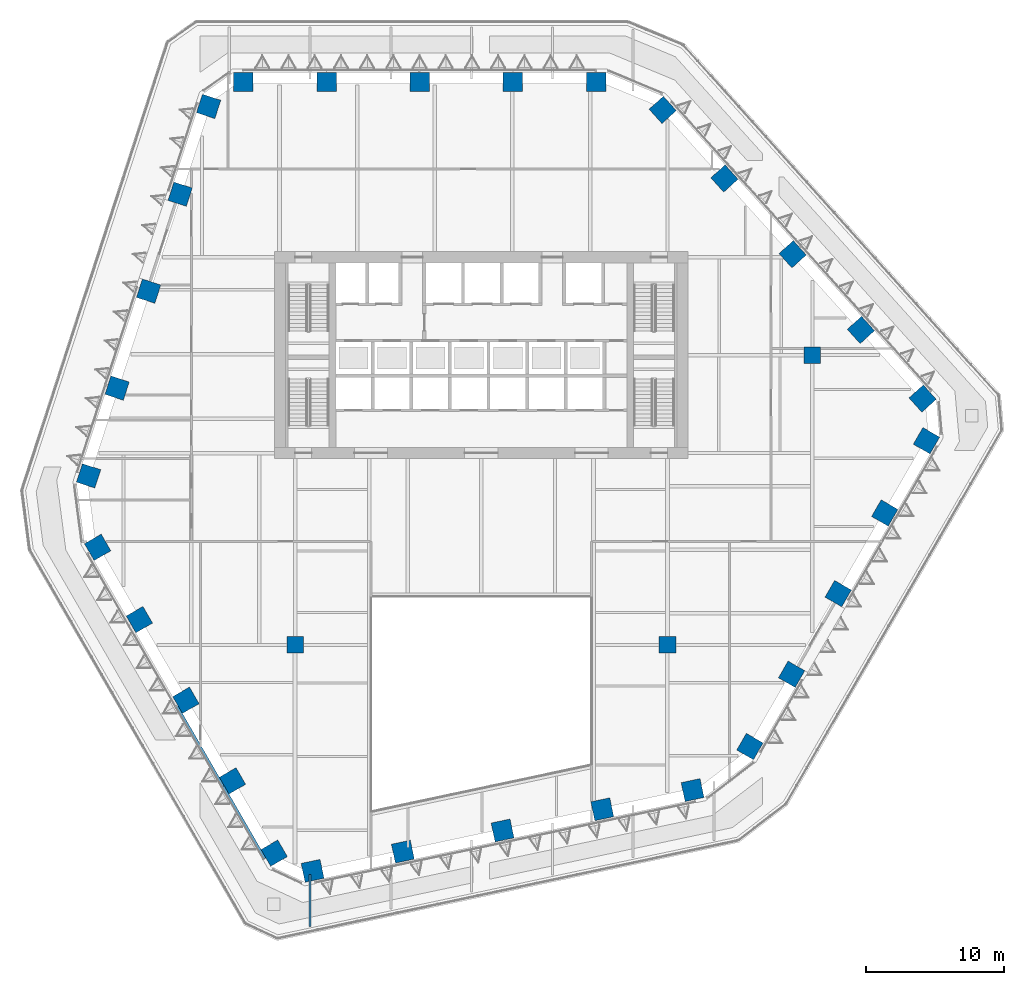
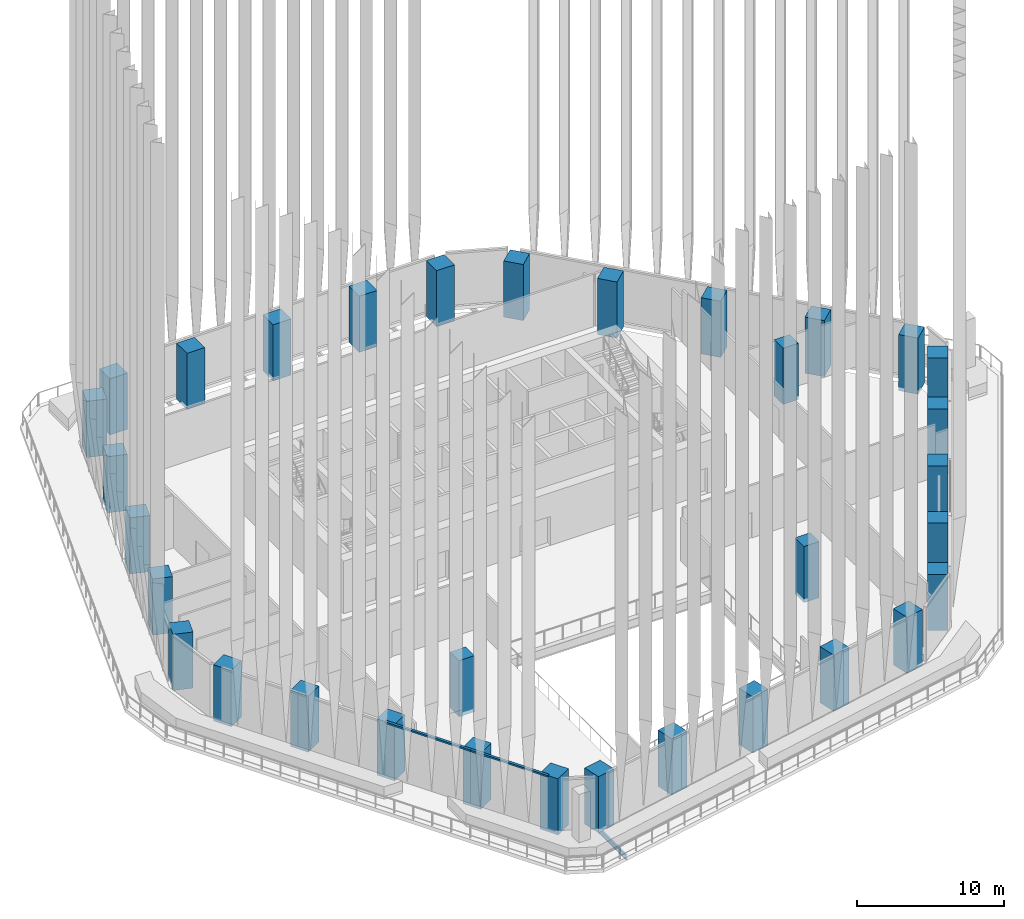
# One storey, part 1 of 27: 33 columns, 2 members, 1 beam, 1 element without a shape of its own.
"""IFC4 building model written with IfcOpenShell, lengths in metres."""

from ifc_helpers import new_model, si_unit, direction, frame, origin, origin_2d, place, context, subcontext, project, spatial, rectangle, i_section, extrude, material, layer, layer_set, material_profile, profile_set, type_object, element, aggregate, save


model = new_model("IFC4")

# Units and contexts
model_context = context("Model", 3, precision=1e-05, world=origin(), true_north=direction((0.0, 1.0)))
body_context = subcontext(model_context, "Body", "Model", "MODEL_VIEW")
ifc_project = project(units=[si_unit("LENGTHUNIT", "METRE"), si_unit("AREAUNIT", "SQUARE_METRE"), si_unit("VOLUMEUNIT", "CUBIC_METRE"), si_unit("PLANEANGLEUNIT", "RADIAN"), si_unit("MASSUNIT", "GRAM", prefix="KILO")], contexts=[model_context])

# Site, building, storey
site_placement = place(None, origin())
site = spatial("IfcSite", under=ifc_project, at=site_placement, CompositionType="ELEMENT")
building_placement = place(site_placement, origin())
building = spatial("IfcBuilding", under=site, at=building_placement, Name="Isthmus Gate Tower", CompositionType="ELEMENT")
storey_placement = place(building_placement, frame((0.0, 0.0, 121.64990234375)))
storey = spatial("IfcBuildingStorey", under=building, at=storey_placement, Name="L29", CompositionType="ELEMENT", Elevation=121.64990234375)

# Columns
ifc_material_1 = material(Name="Concrete f'c 60 MPa", Category="concrete")
ifc_material_profile_1 = material_profile(ifc_material_1, rectangle(XDim=1.199951171875, YDim=1.199951171875, at=origin_2d()), Name="RC 1200X1200")
ifc_profile_set_1 = profile_set([ifc_material_profile_1], Name="Concrete f'c 60 MPa")
column_type_1 = type_object("IfcColumnType", Name="RC INTERIOR COLUMN 1200 X 1200", PredefinedType="COLUMN", material=ifc_profile_set_1)
for number, where, z_axis, x_axis, name in (
    (1, (-13.5, -13.5, -0.2998046875), (0.0, 0.0, 1.0), (1.0, 0.0, 0.0), "str-icol-L29-ICB2"),
    (2, (13.5, -13.5, -0.2998046875), (0.0, 0.0, 1.0), (1.0, 0.0, 0.0), "str-icol-L29-ICD2"),
    (3, (24.0, 7.5, -0.2998046875), (0.0, 0.0, 1.0), (1.0, 0.0, 0.0), "str-icol-L29-ICE3"),
):
    element("IfcColumn", number, at=place(storey_placement, frame(where, z_axis=z_axis, x_axis=x_axis)), inside=storey, type_object=column_type_1, Name=name, PredefinedType="COLUMN", context=body_context, shape_type="SweptSolid", body=[
        extrude(rectangle(XDim=1.199951171875, YDim=1.199951171875, at=origin_2d()), origin(), (0.0, 0.0, 1.0), 4.64990234375),
    ])
ifc_material_2 = material(Name="Concrete f'c 60 MPa", Category="concrete")
ifc_material_profile_2 = material_profile(ifc_material_2, rectangle(XDim=1.39990234375, YDim=1.39990234375, at=origin_2d()), Name="RC 1400X1400")
ifc_profile_set_2 = profile_set([ifc_material_profile_2], Name="Concrete f'c 60 MPa")
column_type_2 = type_object("IfcColumnType", Name="RC TUBE COLUMN 1400 X 1400", PredefinedType="COLUMN", material=ifc_profile_set_2)
for number, where, z_axis, x_axis, name in (
    (4, (8.338623046875, 27.300048828125, -0.2998046875), (0.0, 0.0, 1.0), (-1.0, 0.0, 0.0), "str-tcol-L29-T2N0"),
    (5, (2.288330078125, 27.300048828125, -0.2998046875), (0.0, 0.0, 1.0), (-1.0, 0.0, 0.0), "str-tcol-L29-T2N1"),
    (6, (-4.461669921875, 27.300048828125, -0.2998046875), (0.0, 0.0, 1.0), (-1.0, 0.0, 0.0), "str-tcol-L29-T2N2"),
    (7, (-11.2119140625, 27.300048828125, -0.2998046875), (0.0, 0.0, 1.0), (-1.0, 0.0, 0.0), "str-tcol-L29-T2N3"),
    (8, (-17.261962890625, 27.300048828125, -0.2998046875), (0.0, 0.0, 1.0), (-1.0, 0.0, 0.0), "str-tcol-L29-T2N4"),
    (9, (-19.765380859375, 25.532958984375, -0.2998046875), (0.0, 0.0, 1.0), (-0.309016994375, -0.951056516295, 0.0), "str-tcol-L29-T2NW0"),
    (10, (-21.8330078125, 19.169677734375, -0.2998046875), (0.0, 0.0, 1.0), (-0.309016994375, -0.951056516295, 0.0), "str-tcol-L29-T2NW1"),
    (11, (-24.116943359375, 12.140625, -0.2998046875), (0.0, 0.0, 1.0), (-0.309016994375, -0.951056516295, 0.0), "str-tcol-L29-T2NW2"),
    (12, (-26.400634765625, 5.111328125, -0.2998046875), (0.0, 0.0, 1.0), (-0.309016994375, -0.951056516295, 0.0), "str-tcol-L29-T2NW3"),
    (13, (-28.46826171875, -1.251953125, -0.2998046875), (0.0, 0.0, 1.0), (-0.309016994375, -0.951056516295, 0.0), "str-tcol-L29-T2NW4"),
    (14, (-27.811767578125, -6.4287109375, -0.2998046875), (0.0, 0.0, 1.0), (0.5, -0.866025403784, 0.0), "str-tcol-L29-T2SW0"),
    (15, (-24.78662109375, -11.668212890625, -0.2998046875), (0.0, 0.0, 1.0), (0.5, -0.866025403784, 0.0), "str-tcol-L29-T2SW1"),
    (16, (-21.41162109375, -17.513916015625, -0.2998046875), (0.0, 0.0, 1.0), (0.5, -0.866025403784, 0.0), "str-tcol-L29-T2SW2"),
    (17, (-18.03662109375, -23.359619140625, -0.2998046875), (0.0, 0.0, 1.0), (0.5, -0.866025403784, 0.0), "str-tcol-L29-T2SW3"),
    (18, (-15.011474609375, -28.599365234375, -0.2998046875), (0.0, 0.0, 1.0), (0.5, -0.866025403784, 0.0), "str-tcol-L29-T2SW4"),
    (19, (-12.2294921875, -29.8837890625, -0.2998046875), (0.0, 0.0, 1.0), (0.978147600734, 0.207911690818, 0.0), "str-tcol-L29-T2S0"),
    (20, (-5.684814453125, -28.49267578125, -0.2998046875), (0.0, 0.0, 1.0), (0.978147600734, 0.207911690818, 0.0), "str-tcol-L29-T2S1"),
    (21, (1.54443359375, -26.9560546875, -0.2998046875), (0.0, 0.0, 1.0), (0.978147600734, 0.207911690818, 0.0), "str-tcol-L29-T2S2"),
    (22, (8.773681640625, -25.41943359375, -0.2998046875), (0.0, 0.0, 1.0), (0.978147600734, 0.207911690818, 0.0), "str-tcol-L29-T2S3"),
    (23, (15.318359375, -24.0283203125, -0.2998046875), (0.0, 0.0, 1.0), (0.978147600734, 0.207911690818, 0.0), "str-tcol-L29-T2S4"),
    (24, (19.47314453125, -20.871337890625, -0.2998046875), (0.0, 0.0, 1.0), (0.5, 0.866025403784, 0.0), "str-tcol-L29-T2SE0"),
    (25, (22.498291015625, -15.6318359375, -0.2998046875), (0.0, 0.0, 1.0), (0.5, 0.866025403784, 0.0), "str-tcol-L29-T2SE1"),
    (26, (25.873291015625, -9.7861328125, -0.2998046875), (0.0, 0.0, 1.0), (0.5, 0.866025403784, 0.0), "str-tcol-L29-T2SE2"),
    (27, (29.248291015625, -3.940185546875, -0.2998046875), (0.0, 0.0, 1.0), (0.5, 0.866025403784, 0.0), "str-tcol-L29-T2SE3"),
    (28, (32.2734375, 1.29931640625, -0.2998046875), (0.0, 0.0, 1.0), (0.5, 0.866025403784, 0.0), "str-tcol-L29-T2SE4"),
    (29, (31.994873046875, 4.350830078125, -0.2998046875), (0.0, 0.0, 1.0), (-0.669130606359, 0.743144825477, 0.0), "str-tcol-L29-T2NE0"),
    (30, (27.517822265625, 9.3232421875, -0.2998046875), (0.0, 0.0, 1.0), (-0.669130606359, 0.743144825477, 0.0), "str-tcol-L29-T2NE1"),
    (31, (22.572509765625, 14.815673828125, -0.2998046875), (0.0, 0.0, 1.0), (-0.669130606359, 0.743144825477, 0.0), "str-tcol-L29-T2NE2"),
    (32, (17.626953125, 20.30810546875, -0.2998046875), (0.0, 0.0, 1.0), (-0.669130606359, 0.743144825477, 0.0), "str-tcol-L29-T2NE3"),
    (33, (13.14990234375, 25.2802734375, -0.2998046875), (0.0, 0.0, 1.0), (-0.669130606359, 0.743144825477, 0.0), "str-tcol-L29-T2NE4"),
):
    element("IfcColumn", number, at=place(storey_placement, frame(where, z_axis=z_axis, x_axis=x_axis)), inside=storey, type_object=column_type_2, Name=name, PredefinedType="COLUMN", context=body_context, shape_type="SweptSolid", body=[
        extrude(rectangle(XDim=1.39990234375, YDim=1.39990234375, at=origin_2d()), origin(), (0.0, 0.0, 1.0), 4.64990234375),
    ])

# Curtain wall, members
ifc_material_3 = material(Name="Aluminium, pale champagne anodised", Category="aluminium")
ifc_layer = layer(ifc_material_3, 0.199951171875)
ifc_layer_set = layer_set([ifc_layer], Name="CW-1 UNITISED CURTAIN WALL 200 DEEP")
curtain_wall_type = type_object("IfcCurtainWallType", Name="CW-1 UNITISED CURTAIN WALL 200 DEEP", PredefinedType="NOTDEFINED", material=ifc_layer_set)
curtain_wall_placement = place(storey_placement, origin())
curtain_wall = element("IfcCurtainWall", 34, at=curtain_wall_placement, inside=storey, type_object=curtain_wall_type, Name="CW-1 SW L29", PredefinedType="NOTDEFINED")
ifc_material_4 = material(Name="Aluminium, pale champagne anodised", Category="aluminium")
ifc_material_profile_3 = material_profile(ifc_material_4, rectangle(XDim=0.199951171875, YDim=0.139892578125, at=origin_2d()), Name="200x140")
ifc_profile_set_3 = profile_set([ifc_material_profile_3], Name="Aluminium, pale champagne anodised")
member_type = type_object("IfcMemberType", Name="CW-1 TRANSOM 200 X 140", PredefinedType="USERDEFINED", material=ifc_profile_set_3)
member_1_placement = place(storey_placement, frame((-22.074462890625, -17.9658203125, 4.43017578125), z_axis=(0.499981482168, -0.866036094796, 0.0), x_axis=(0.866036094796, 0.499981482168, 0.0)))
member_1 = element("IfcMember", 35, at=member_1_placement, type_object=member_type, Name="CW-1 transom", ObjectType="TRANSOM", PredefinedType="USERDEFINED", context=body_context, shape_type="SweptSolid", body=[
    extrude(rectangle(XDim=0.199951171875, YDim=0.139892578125, at=origin_2d()), origin(), (0.0, 0.0, 1.0), 6.690185546875),
])
member_2_placement = place(storey_placement, frame((-18.7294921875, -23.759765625, 4.43017578125), z_axis=(0.50001470477, -0.866016913815, 0.0), x_axis=(0.866016913815, 0.50001470477, 0.0)))
member_2 = element("IfcMember", 36, at=member_2_placement, type_object=member_type, Name="CW-1 transom", ObjectType="TRANSOM", PredefinedType="USERDEFINED", context=body_context, shape_type="SweptSolid", body=[
    extrude(rectangle(XDim=0.199951171875, YDim=0.139892578125, at=origin_2d()), origin(), (0.0, 0.0, 1.0), 6.050048828125),
])
aggregate(curtain_wall, [member_1, member_2])

# Beam
ifc_material_5 = material(Name="Structural steel ASTM A992 Gr 50", Category="steel")
ifc_material_profile_4 = material_profile(ifc_material_5, i_section(OverallWidth=0.1396484375, OverallDepth=0.4033203125, WebThickness=0.00634765625, FlangeThickness=0.010986328125, at=origin_2d()), Name="W16X31")
ifc_profile_set_4 = profile_set([ifc_material_profile_4], Name="Structural steel ASTM A992 Gr 50")
beam_type = type_object("IfcBeamType", Name="STEEL LEDGE BEAM W16X31", PredefinedType="JOIST", material=ifc_profile_set_4)
beam_placement = place(storey_placement, frame((-12.416748046875, -33.908935546875, -0.50146484375), z_axis=(0.0, 1.0, 0.0), x_axis=(-1.0, 0.0, 0.0)))
element("IfcBeam", 37, at=beam_placement, inside=storey, type_object=beam_type, Name="str-ringbeam-L29-00-05", PredefinedType="JOIST", context=body_context, shape_type="SweptSolid", body=[
    extrude(i_section(OverallWidth=0.1396484375, OverallDepth=0.4033203125, WebThickness=0.00634765625, FlangeThickness=0.010986328125, at=origin_2d()), origin(), (0.0, 0.0, 1.0), 3.77587890625),
])

save(model, "model.ifc")
